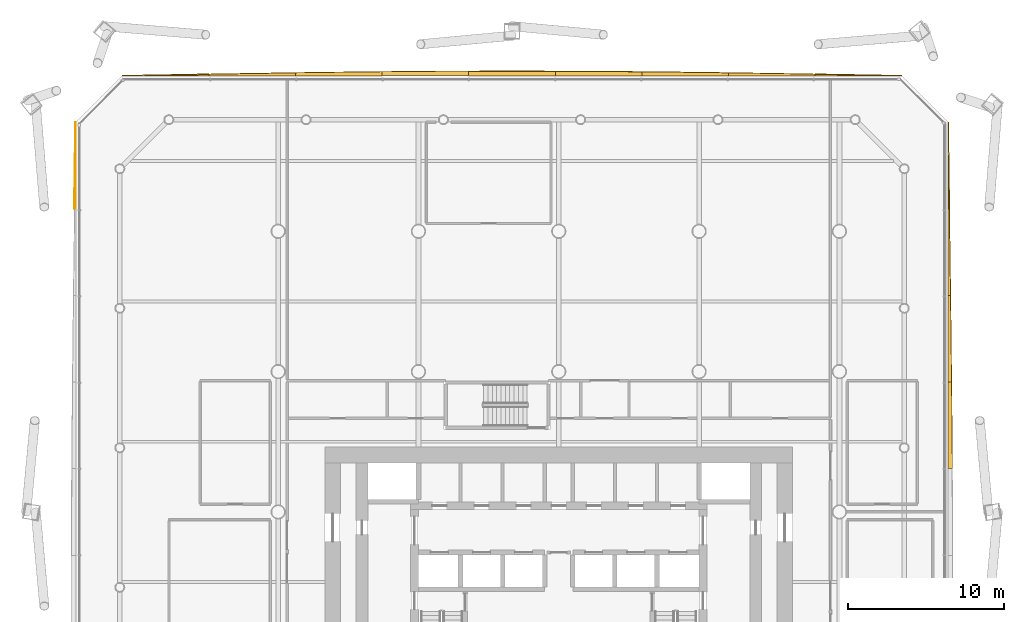
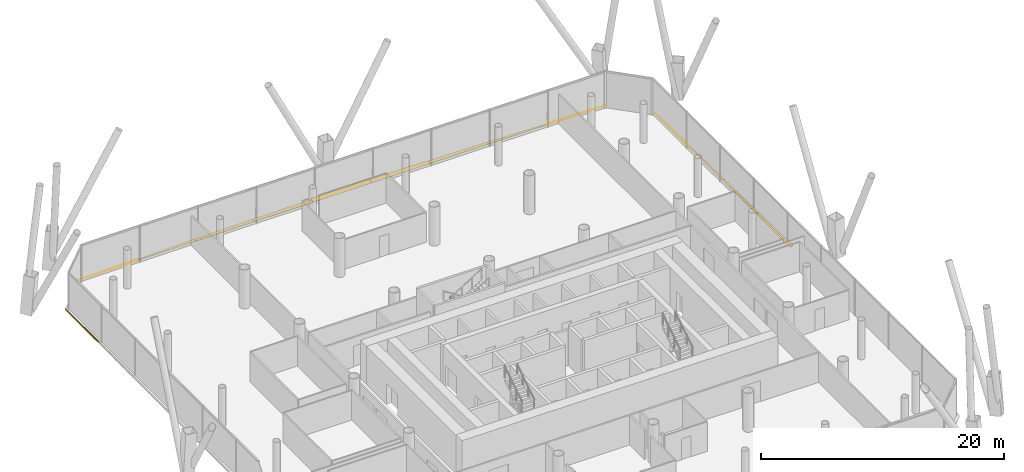
# One storey, part 25 of 25: 14 shading devices.
"""IFC4 building model written with IfcOpenShell, lengths in metres."""

from ifc_helpers import new_model, si_unit, direction, frame, origin, place, context, subcontext, project, spatial, polyline, outline, extrude, material, layer, layer_set, type_object, element, save


model = new_model("IFC4")

# Units and contexts
model_context = context("Model", 3, precision=1e-05, world=origin(), true_north=direction((0.0, 1.0)))
body_context = subcontext(model_context, "Body", "Model", "MODEL_VIEW")
ifc_project = project(units=[si_unit("LENGTHUNIT", "METRE"), si_unit("AREAUNIT", "SQUARE_METRE"), si_unit("VOLUMEUNIT", "CUBIC_METRE"), si_unit("PLANEANGLEUNIT", "RADIAN"), si_unit("MASSUNIT", "GRAM", prefix="KILO")], contexts=[model_context])

# Site, building, storey
site_placement = place(None, origin())
site = spatial("IfcSite", under=ifc_project, at=site_placement, CompositionType="ELEMENT")
building_placement = place(site_placement, origin())
building = spatial("IfcBuilding", under=site, at=building_placement, Name="Tskaro Facet Tower", CompositionType="ELEMENT")
storey_placement = place(building_placement, frame((0.0, 0.0, 10.800048828125)))
storey = spatial("IfcBuildingStorey", under=building, at=storey_placement, Name="L01", CompositionType="ELEMENT", Elevation=10.800048828125)

# Shading devices
ifc_material = material(Name="Bronze anodised aluminium 6063-T6", Category="aluminium")
ifc_layer = layer(ifc_material, 0.06005859375, Name="Bronze anodised aluminium 6063-T6")
ifc_layer_set = layer_set([ifc_layer], Name="Bronze anodised aluminium 6063-T6")
shading_device_type = type_object("IfcShadingDeviceType", Name="Bronze sun blade (FN1)", PredefinedType="USERDEFINED", material=ifc_layer_set)
shading_device_1_placement = place(storey_placement, frame((24.9794921875, 2.77783203125, 0.056396484375), z_axis=(-0.341995763664, 7.140237e-06, 0.939701493872), x_axis=(2.441931e-06, 0.999999999975, -6.709691e-06)))
element("IfcShadingDevice", 1, at=shading_device_1_placement, inside=storey, type_object=shading_device_type, Name="Fin blade east 6", ObjectType="FIN", PredefinedType="USERDEFINED", context=body_context, shape_type="SweptSolid", body=[
    extrude(outline(polyline([(0.0, 0.0), (5.555419921733384, 0.0), (5.555419922473148, -0.23015091784527703), (4.861083983664543, -0.23749310418059946), (4.166503906910986, -0.24443888108690812), (3.4721679685481406, -0.2512387337426739), (2.7778320312272293, -0.25772567202891616), (2.083251952685149, -0.2639831910051253), (1.3889160158099967, -0.2699277956118109), (0.6943359371175013, -0.2754135615984301), (9.193345373105893e-11, -0.2805864132155259), (0.0, 0.0)])), origin(), (0.0, 0.0, -1.0), 0.06005859375),
])
shading_device_2_placement = place(storey_placement, frame((24.974609375, 8.333251953125, 0.054443359375), z_axis=(-0.422205545388, 7.293333e-06, 0.906500125422), x_axis=(3.079286e-06, 0.999999999973, -6.611407e-06)))
element("IfcShadingDevice", 2, at=shading_device_2_placement, inside=storey, type_object=shading_device_type, Name="Fin blade east 7", ObjectType="FIN", PredefinedType="USERDEFINED", context=body_context, shape_type="SweptSolid", body=[
    extrude(outline(polyline([(0.0, 0.0), (5.55566406235224, 2.3529152524070872e-21), (5.555664062285915, -0.16940791106144787), (4.861083984665834, -0.17880312422477987), (4.1667480469189675, -0.1879770238809228), (3.4724121091721005, -0.1971509235370658), (2.7778320309107967, -0.20577911865309842), (2.0834960932744853, -0.21440731376913108), (1.388916015875516, -0.22271111785224243), (0.6945800783497608, -0.2307936084281648), (-5.527666151053901e-10, -0.23865478549689806), (0.0, 0.0)])), origin(), (0.0, 0.0, -1.0), 0.06005859375),
])
shading_device_3_placement = place(storey_placement, frame((24.969970703125, 13.888916015625, 0.052001953125), z_axis=(-0.499400429017, 9.628625e-06, 0.866371289578), x_axis=(4.808539e-06, 0.999999999954, -8.341964e-06)))
element("IfcShadingDevice", 3, at=shading_device_3_placement, inside=storey, type_object=shading_device_type, Name="Fin blade east 8", ObjectType="FIN", PredefinedType="USERDEFINED", context=body_context, shape_type="SweptSolid", body=[
    extrude(outline(polyline([(0.0, 0.0), (5.555419921617478, -4.705623709661036e-21), (5.5554199214452575, -0.09187605494996239), (4.861083984093751, -0.10314096253117505), (4.166748047604898, -0.11407242975138712), (3.472167968454445, -0.12512582090447041), (2.7778320307916324, -0.13584577169655315), (2.0832519533664833, -0.14623228212763528), (1.3889160157036708, -0.156952232919718), (0.6943359371045623, -0.16712722692267076), (-8.69557583411692e-10, -0.1773022209256235), (0.0, 0.0)])), origin(), (0.0, 0.0, -1.0), 0.06005859375),
])
shading_device_4_placement = place(storey_placement, frame((24.965576171875, 19.4443359375, 0.049072265625), z_axis=(-0.573713692557, -1.2728941e-05, 0.819055919221), x_axis=(-7.302768e-06, 0.999999999919, 1.0425715e-05)))
element("IfcShadingDevice", 4, at=shading_device_4_placement, inside=storey, type_object=shading_device_type, Name="Fin blade east 9", ObjectType="FIN", PredefinedType="USERDEFINED", context=body_context, shape_type="SweptSolid", body=[
    extrude(outline(polyline([(0.0, 0.0), (5.555664062049919, 0.0), (4.861328125322049, -0.012260495550847938), (4.166748047969198, -0.024520991101695876), (3.4724121094584257, -0.03698145147658849), (2.7778320295602343, -0.04910188020795311), (2.083496094615266, -0.06116241093475637), (1.3889160147170756, -0.07328283966612098), (0.6945800772267671, -0.08520330357344093), (-8.885217303880782e-10, -0.09712376748076088), (0.0, 0.0)])), origin(), (0.0, 0.0, -1.0), 0.06005859375),
])
shading_device_5_placement = place(storey_placement, frame((22.0, 27.9794921875, 0.056396484375), z_axis=(2.7459012e-05, -0.340964594974, 0.940076137459), x_axis=(-0.999999999623, -9.362551e-06, 2.5813562e-05)))
element("IfcShadingDevice", 5, at=shading_device_5_placement, inside=storey, type_object=shading_device_type, Name="Fin blade north 1", ObjectType="FIN", PredefinedType="USERDEFINED", context=body_context, shape_type="SweptSolid", body=[
    extrude(outline(polyline([(0.0, 0.0), (5.5556640604055225, 0.0), (5.555664064605619, -0.10913075218076324), (4.861083983576561, -0.09584407973558688), (4.166748043172412, -0.0825574072904105), (3.4721679707312725, -0.06912446737875183), (2.777832028596542, -0.055295530072557476), (2.0832519521390425, -0.04154983607571425), (1.3889160163064511, -0.027804142078871018), (0.6943359335468123, -0.013975204772676664), (0.0, 0.0)])), origin(), (0.0, 0.0, -1.0), 0.06005859375),
])
shading_device_6_placement = place(storey_placement, frame((16.4443359375, 27.974609375, 0.054443359375), z_axis=(5.5404e-07, -0.421971762858, 0.906608973787), x_axis=(-1.0, -2.33789e-07, 5.02297e-07)))
element("IfcShadingDevice", 6, at=shading_device_6_placement, inside=storey, type_object=shading_device_type, Name="Fin blade north 2", ObjectType="FIN", PredefinedType="USERDEFINED", context=body_context, shape_type="SweptSolid", body=[
    extrude(outline(polyline([(0.0, 0.0), (5.555419921874147, 0.0), (5.555419921911264, -0.2127701899470728), (4.861083984355999, -0.20141349752612556), (4.166503906232811, -0.1898354650236874), (3.4721679687261466, -0.177711731908351), (2.7775878905944817, -0.16558799879301458), (2.083251953079341, -0.15291856506477988), (1.3886718750533549, -0.13980645117356338), (0.6943359375297375, -0.1265913168324304), (6.319765618382651e-11, -0.11315484240980656), (0.0, 0.0)])), origin(), (0.0, 0.0, -1.0), 0.06005859375),
])
shading_device_7_placement = place(storey_placement, frame((10.888916015625, 27.969970703125, 0.052001953125), z_axis=(-7.11371e-07, -0.499745818161, 0.86617210601), x_axis=(-1.0, 3.55504e-07, -6.16169e-07)))
element("IfcShadingDevice", 7, at=shading_device_7_placement, inside=storey, type_object=shading_device_type, Name="Fin blade north 3", ObjectType="FIN", PredefinedType="USERDEFINED", context=body_context, shape_type="SweptSolid", body=[
    extrude(outline(polyline([(0.0, 0.0), (5.555664062498594, -2.941144065508859e-22), (5.555664062481205, -0.2999148078969682), (4.861083984333087, -0.2920415774138459), (4.1667480468736064, -0.2838348708750177), (3.4721679688296105, -0.27474974442545874), (2.777832031237029, -0.2652416823772618), (2.0832519530830864, -0.25540014427335894), (1.388916015681421, -0.24489165405804428), (0.69458007810617, -0.23396022824409166), (-3.044235372827391e-11, -0.22269532637443312), (0.0, 0.0)])), origin(), (0.0, 0.0, -1.0), 0.06005859375),
])
shading_device_8_placement = place(storey_placement, frame((5.333251953125, 27.965576171875, 0.049072265625), z_axis=(-4.512554e-06, -0.573581981064, 0.819148161799), x_axis=(-0.99999999999, 2.588319e-06, -3.69645e-06)))
element("IfcShadingDevice", 8, at=shading_device_8_placement, inside=storey, type_object=shading_device_type, Name="Fin blade north 4", ObjectType="FIN", PredefinedType="USERDEFINED", context=body_context, shape_type="SweptSolid", body=[
    extrude(outline(polyline([(0.0, 0.0), (5.555419921818437, 0.0), (5.555419922056077, -0.36059404632636227), (4.8610839845611835, -0.3576139302410205), (4.1665039063504565, -0.3537537827964108), (3.472167968403353, -0.3493536260000716), (2.777587890372332, -0.3442734251886558), (2.0832519528754734, -0.3383131930179721), (1.3889160156491545, -0.33201293883975014), (0.6943359377070036, -0.3248326533022603), (2.8475923093390288e-11, -0.3171123584130409), (0.0, 0.0)])), origin(), (0.0, 0.0, -1.0), 0.06005859375),
])
shading_device_9_placement = place(storey_placement, frame((-0.22216796875, 27.96142578125, 0.0458984375), z_axis=(0.0, -0.64271610513, 0.76610443688), x_axis=(-1.0, 0.0, 0.0)))
element("IfcShadingDevice", 9, at=shading_device_9_placement, inside=storey, type_object=shading_device_type, Name="Fin blade north 5", ObjectType="FIN", PredefinedType="USERDEFINED", context=body_context, shape_type="SweptSolid", body=[
    extrude(outline(polyline([(0.0, 0.0), (5.5556640625, 0.0), (5.5556640625, -0.3855818396804682), (4.861083984375, -0.3881765291899766), (4.166748046875, -0.3900833180442069), (3.47216796875, -0.3913022062431591), (2.77783203125, -0.39164615657079815), (2.77783203125, -0.39164615657079815), (2.08349609375, -0.3913022062431591), (1.388916015625, -0.3900833180442069), (0.694580078125, -0.3881765291899766), (0.0, -0.3855818396804682), (0.0, 0.0)])), origin(), (0.0, 0.0, -1.0), 0.06005859375),
])
shading_device_10_placement = place(storey_placement, frame((-5.77783203125, 27.9794921875, 0.056396484375), z_axis=(1.510024e-06, -0.341714318272, 0.939803875649), x_axis=(-0.999999999999, -5.15997e-07, 1.419127e-06)))
element("IfcShadingDevice", 10, at=shading_device_10_placement, inside=storey, type_object=shading_device_type, Name="Fin blade north 6", ObjectType="FIN", PredefinedType="USERDEFINED", context=body_context, shape_type="SweptSolid", body=[
    extrude(outline(polyline([(0.0, 0.0), (5.555419921868666, 0.0), (5.55541992191293, -0.2764147375155055), (4.861083984256548, -0.2831311265856626), (4.166503906227119, -0.2893886270446623), (3.47216796885415, -0.2948743682396913), (2.7778320312606914, -0.3000472387819071), (2.083251953073693, -0.3044483500601523), (1.3889160157636462, -0.30839057272724), (0.6943359373876185, -0.3117070540887013), (1.4517828236927513e-11, -0.3143352025334265), (0.0, 0.0)])), origin(), (0.0, 0.0, -1.0), 0.06005859375),
])
shading_device_11_placement = place(storey_placement, frame((-11.333251953125, 27.974609375, 0.054443359375), z_axis=(-7.508327e-06, -0.422309057785, 0.906451906974), x_axis=(-0.999999999972, 3.170834e-06, -6.805937e-06)))
element("IfcShadingDevice", 11, at=shading_device_11_placement, inside=storey, type_object=shading_device_type, Name="Fin blade north 7", ObjectType="FIN", PredefinedType="USERDEFINED", context=body_context, shape_type="SweptSolid", body=[
    extrude(outline(polyline([(0.0, 0.0), (5.5556640623434, 0.0), (5.555664062434787, -0.2127702001461714), (4.8610839837240345, -0.22358122269942185), (4.166748046525754, -0.2340678407202513), (3.472412109440819, -0.24400875247355253), (2.777832031844238, -0.2534039579593256), (2.0834960940985203, -0.26257786170999137), (1.3889160158411566, -0.27120605919312896), (0.6945800775480031, -0.27906724867363114), (-4.826672984841947e-10, -0.28660403362171233), (0.0, 0.0)])), origin(), (0.0, 0.0, -1.0), 0.06005859375),
])
shading_device_12_placement = place(storey_placement, frame((-16.888916015625, 27.969970703125, 0.052001953125), z_axis=(-1.3421608e-05, -0.49956908271, 0.866274050991), x_axis=(-0.99999999991, 6.705021e-06, -1.1626791e-05)))
element("IfcShadingDevice", 12, at=shading_device_12_placement, inside=storey, type_object=shading_device_type, Name="Fin blade north 8", ObjectType="FIN", PredefinedType="USERDEFINED", context=body_context, shape_type="SweptSolid", body=[
    extrude(outline(polyline([(0.0, 0.0), (5.555419921374625, 0.0), (5.555419921966718, -0.11834248522354716), (4.8610839840590625, -0.13245410777074934), (4.166748047353012, -0.1462322725216078), (3.4721679700219834, -0.16001043727246625), (2.7778320328805695, -0.17324365153873172), (2.083251951840241, -0.18605388042849874), (1.3889160142634631, -0.19874214421017125), (0.6943359356263432, -0.2108854575072508), (-1.1841945137294346e-09, -0.22269531300798662), (0.0, 0.0)])), origin(), (0.0, 0.0, -1.0), 0.06005859375),
])
shading_device_13_placement = place(storey_placement, frame((-22.4443359375, 27.965576171875, 0.049072265625), z_axis=(1.2546346e-05, -0.573915397481, 0.81891459651), x_axis=(-0.999999999921, -7.200541e-06, 1.0274386e-05)))
element("IfcShadingDevice", 13, at=shading_device_13_placement, inside=storey, type_object=shading_device_type, Name="Fin blade north 9", ObjectType="FIN", PredefinedType="USERDEFINED", context=body_context, shape_type="SweptSolid", body=[
    extrude(outline(polyline([(0.0, 0.0), (5.555664062062739, 0.0), (4.861328125007388, -0.016120647783448336), (4.166748046576604, -0.03190124918161823), (3.472412108770803, -0.04768185057978812), (2.7778320328484143, -0.06360256804180725), (2.0834960925342174, -0.0792430533761279), (1.3889160158613791, -0.09482372445286859), (0.6945800773051265, -0.11026427946576003), (-8.686126100374976e-10, -0.12516485777194383), (0.0, 0.0)])), origin(), (0.0, 0.0, -1.0), 0.06005859375),
])
shading_device_14_placement = place(storey_placement, frame((-30.9794921875, 25.0, 0.056396484375), z_axis=(0.341512601178, -1.87906e-05, 0.93987719564), x_axis=(-6.417227e-06, -0.999999999823, -1.7660857e-05)))
element("IfcShadingDevice", 14, at=shading_device_14_placement, inside=storey, type_object=shading_device_type, Name="Fin blade west 1", ObjectType="FIN", PredefinedType="USERDEFINED", context=body_context, shape_type="SweptSolid", body=[
    extrude(outline(polyline([(0.0, 0.0), (5.555664061519185, -4.7058305048141744e-21), (5.555664063480815, -0.08464317694793796), (4.861083983174465, -0.07429740930888493), (4.166748047804805, -0.06386826456992017), (3.47216797024348, -0.0532096576249482), (2.777832028995381, -0.04263442777988792), (2.083251951434057, -0.031975820834915944), (1.3889160144976904, -0.02131721388994396), (0.6943359369363667, -0.01065860694497198), (0.0, 0.0)])), origin(), (0.0, 0.0, -1.0), 0.06005859375),
])

save(model, "model.ifc")
